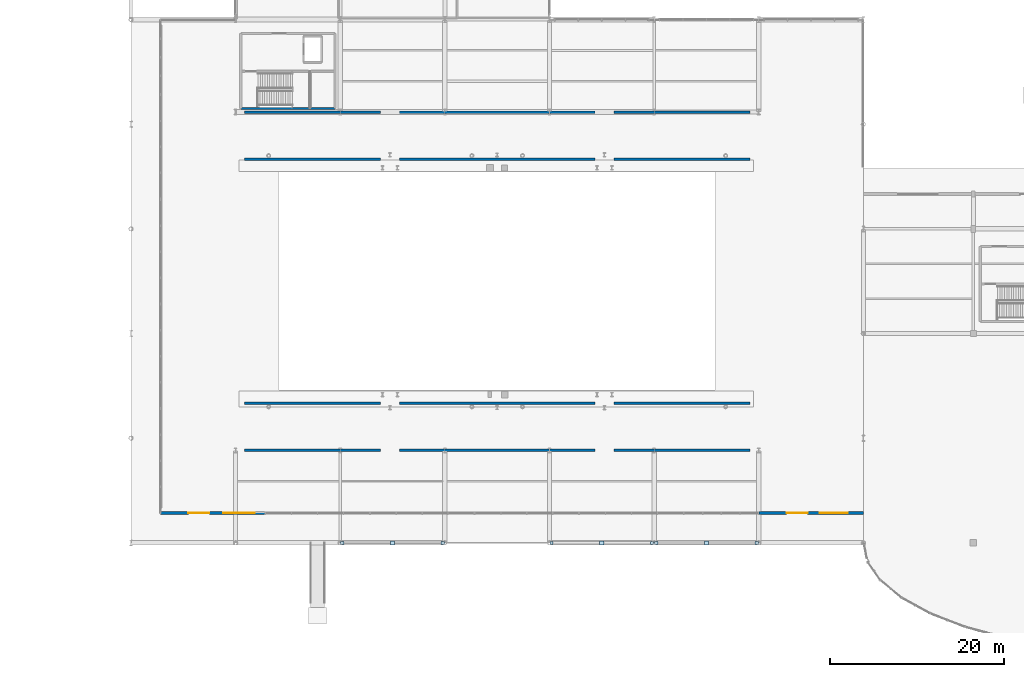
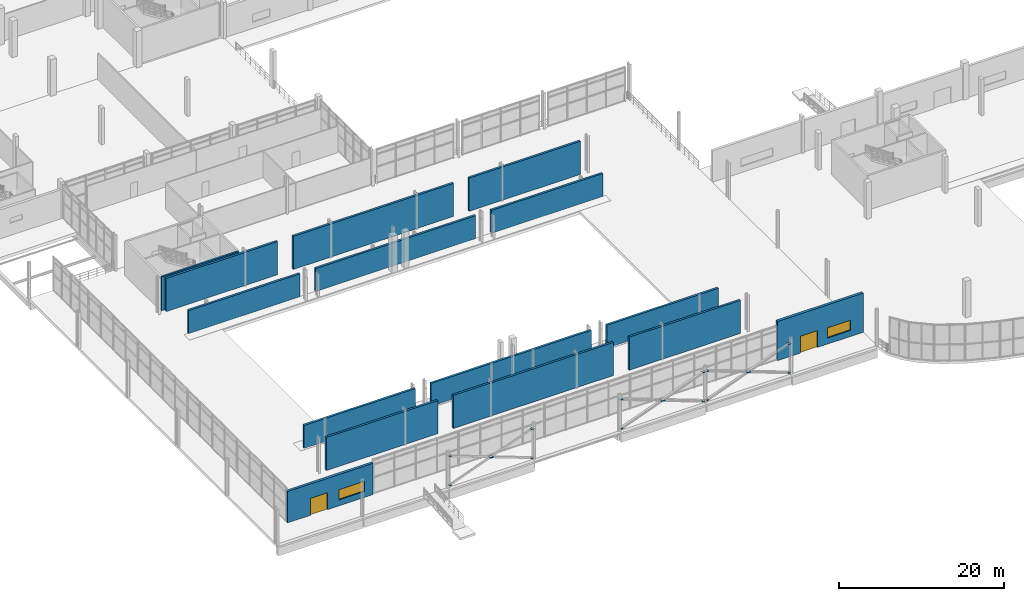
# One storey, part 57 of 85: 15 plates, 15 walls, 2 doors, 2 windows, 4 openings.
"""IFC4 building model written with IfcOpenShell, lengths in metres."""

from ifc_helpers import new_model, si_unit, direction, frame, frame_2d, origin, origin_2d, place, context, subcontext, project, spatial, rectangle, extrude, material, layer, layer_set, type_object, element, fill, save


model = new_model("IFC4")

# Units and contexts
model_context = context("Model", 3, precision=1e-05, world=origin(), true_north=direction((0.0, 1.0)))
body_context = subcontext(model_context, "Body", "Model", "MODEL_VIEW")
ifc_project = project(units=[si_unit("LENGTHUNIT", "METRE"), si_unit("AREAUNIT", "SQUARE_METRE"), si_unit("VOLUMEUNIT", "CUBIC_METRE"), si_unit("PLANEANGLEUNIT", "RADIAN"), si_unit("MASSUNIT", "GRAM", prefix="KILO"), si_unit("THERMODYNAMICTEMPERATUREUNIT", "KELVIN"), si_unit("POWERUNIT", "WATT")], contexts=[model_context])

# Site, building, storey
site_placement = place(None, origin())
site = spatial("IfcSite", under=ifc_project, at=site_placement, CompositionType="ELEMENT")
building_placement = place(site_placement, origin())
building = spatial("IfcBuilding", under=site, at=building_placement, Name="Solmara Park Aquatics Centre", CompositionType="ELEMENT")
storey_placement = place(building_placement, origin())
storey = spatial("IfcBuildingStorey", under=building, at=storey_placement, Name="L00", CompositionType="ELEMENT", Elevation=0.0)

# Plates
ifc_material_1 = material(Name="Structural Steel S355", Category="steel")
ifc_layer_1 = layer(ifc_material_1, 0.02490234375, Name="Structural Steel S355")
ifc_layer_set_1 = layer_set([ifc_layer_1], Name="Structural Steel S355")
plate_type_1 = type_object("IfcPlateType", Name="STR-PLT-CAP360", PredefinedType="SHEET", material=ifc_layer_set_1)
for number, where, z_axis, x_axis, name in (
    (1, (36.840087890625, 12.60009765625, 0.28759765625), (0.0, 0.0, 1.0), (1.0, 0.0, 0.0), "Brace End Connection Cap Plate 022"),
    (2, (48.360107421875, 12.60009765625, 4.587646484375), (0.0, 0.0, 1.0), (1.0, 0.0, 0.0), "Brace End Connection Cap Plate 023"),
    (3, (48.360107421875, 12.60009765625, 0.28759765625), (0.0, 0.0, 1.0), (1.0, 0.0, 0.0), "Brace End Connection Cap Plate 024"),
    (4, (36.840087890625, 12.60009765625, 4.587646484375), (0.0, 0.0, 1.0), (1.0, 0.0, 0.0), "Brace End Connection Cap Plate 025"),
    (5, (60.840087890625, 12.60009765625, 0.28759765625), (0.0, 0.0, 1.0), (1.0, 0.0, 0.0), "Brace End Connection Cap Plate 027"),
    (6, (72.360107421875, 12.60009765625, 4.587646484375), (0.0, 0.0, 1.0), (1.0, 0.0, 0.0), "Brace End Connection Cap Plate 028"),
    (7, (72.360107421875, 12.60009765625, 0.28759765625), (0.0, 0.0, 1.0), (1.0, 0.0, 0.0), "Brace End Connection Cap Plate 029"),
    (8, (60.840087890625, 12.60009765625, 4.587646484375), (0.0, 0.0, 1.0), (1.0, 0.0, 0.0), "Brace End Connection Cap Plate 030"),
    (9, (72.840087890625, 12.60009765625, 0.28759765625), (0.0, 0.0, 1.0), (1.0, 0.0, 0.0), "Brace End Connection Cap Plate 032"),
    (10, (84.360107421875, 12.60009765625, 4.587646484375), (0.0, 0.0, 1.0), (1.0, 0.0, 0.0), "Brace End Connection Cap Plate 033"),
    (11, (84.360107421875, 12.60009765625, 0.28759765625), (0.0, 0.0, 1.0), (1.0, 0.0, 0.0), "Brace End Connection Cap Plate 034"),
    (12, (72.840087890625, 12.60009765625, 4.587646484375), (0.0, 0.0, 1.0), (1.0, 0.0, 0.0), "Brace End Connection Cap Plate 035"),
):
    element("IfcPlate", number, at=place(storey_placement, frame(where, z_axis=z_axis, x_axis=x_axis)), inside=storey, type_object=plate_type_1, Name=name, PredefinedType="SHEET", context=body_context, shape_type="SweptSolid", body=[
        extrude(rectangle(XDim=0.360107421875, YDim=0.360107421875, at=origin_2d()), origin(), (0.0, 0.0, 1.0), 0.02490234375),
    ])
ifc_layer_2 = layer(ifc_material_1, 0.031982421875, Name="Structural Steel S355")
ifc_layer_set_2 = layer_set([ifc_layer_2], Name="Structural Steel S355")
plate_type_2 = type_object("IfcPlateType", Name="STR-PLT-GUS60", PredefinedType="USERDEFINED", material=ifc_layer_set_2)
for number, where, z_axis, x_axis, name in (
    (13, (42.60009765625, 12.60009765625, 2.43408203125), (0.0, 0.0, 1.0), (1.0, 0.0, 0.0), "X-Brace Crossing Gusset Plate 021"),
    (14, (66.60009765625, 12.60009765625, 2.43408203125), (0.0, 0.0, 1.0), (1.0, 0.0, 0.0), "X-Brace Crossing Gusset Plate 026"),
    (15, (78.60009765625, 12.60009765625, 2.43408203125), (0.0, 0.0, 1.0), (1.0, 0.0, 0.0), "X-Brace Crossing Gusset Plate 031"),
):
    element("IfcPlate", number, at=place(storey_placement, frame(where, z_axis=z_axis, x_axis=x_axis)), inside=storey, type_object=plate_type_2, Name=name, ObjectType="GUSSET PLATE", PredefinedType="USERDEFINED", context=body_context, shape_type="SweptSolid", body=[
        extrude(rectangle(XDim=0.47998046875, YDim=0.47998046875, at=origin_2d()), origin(), (0.0, 0.0, 1.0), 0.031982421875),
    ])

# Wall
ifc_material_2 = material(Name="Concrete C40/50", Category="concrete")
ifc_layer_3 = layer(ifc_material_2, 0.25, Name="Concrete C40/50")
ifc_layer_set_3 = layer_set([ifc_layer_3], Name="Concrete C40/50")
wall_type_1 = type_object("IfcWallType", Name="ARC-WL-CORE250", PredefinedType="SHEAR", material=ifc_layer_set_3)
wall_1_placement = place(storey_placement, frame((25.199951171875, 62.39990234375, 0.0), z_axis=(0.0, 0.0, 1.0), x_axis=(1.0, 0.0, 0.0)))
element("IfcWall", 16, at=wall_1_placement, inside=storey, type_object=wall_type_1, Name="CORE-4 Core Wall S L00", PredefinedType="SHEAR", context=body_context, shape_type="SweptSolid", body=[
    extrude(rectangle(XDim=10.800048828125, YDim=0.25, at=frame_2d((5.39990234375, 0.0))), origin(), (0.0, 0.0, 1.0), 5.0),
])

# Wall, openings, door, window
ifc_material_3 = material(Name="Insulated Limestone Render Wall", Category="masonry")
ifc_layer_4 = layer(ifc_material_3, 0.35009765625, Name="Insulated Limestone Render Wall")
ifc_layer_set_4 = layer_set([ifc_layer_4], Name="Insulated Limestone Render Wall")
wall_type_2 = type_object("IfcWallType", Name="ARC-WL-EXT350", PredefinedType="SOLIDWALL", material=ifc_layer_set_4)
wall_2_placement = place(storey_placement, frame((16.0, 16.0, 0.0), z_axis=(0.0, 0.0, 1.0), x_axis=(1.0, 0.0, 0.0)))
wall_2 = element("IfcWall", 17, at=wall_2_placement, inside=storey, type_object=wall_type_2, Name="Exterior Facade Wall EW-L00-001", PredefinedType="SOLIDWALL", context=body_context, shape_type="SweptSolid", body=[
    extrude(rectangle(XDim=12.0, YDim=0.35009765625, at=frame_2d((6.0, 0.0))), origin(), (0.0, 0.0, 1.0), 4.639892578125),
])
opening_1_placement = place(wall_2_placement, frame((3.199951171875, 0.0, 0.0)))
opening_1 = element("IfcOpeningElement", 18, at=opening_1_placement, cuts=wall_2, Name="Opening D-01", PredefinedType="OPENING", context=body_context, shape_type="SweptSolid", body=[
    extrude(rectangle(XDim=2.39990234375, YDim=2.5, at=frame_2d((1.199951171875, 1.25))), frame((0.0, 0.18505859375, 0.0), z_axis=(0.0, -1.0, 0.0), x_axis=(1.0, 0.0, 0.0)), (0.0, 0.0, 1.0), 0.3701171875),
])
opening_2_placement = place(wall_2_placement, frame((7.199951171875, 0.0, 0.89990234375)))
opening_2 = element("IfcOpeningElement", 19, at=opening_2_placement, cuts=wall_2, Name="Opening W-13", PredefinedType="OPENING", context=body_context, shape_type="SweptSolid", body=[
    extrude(rectangle(XDim=3.60009765625, YDim=1.5, at=frame_2d((1.800048828125, 0.75))), frame((0.0, 0.18505859375, 0.0), z_axis=(0.0, -1.0, 0.0), x_axis=(1.0, 0.0, 0.0)), (0.0, 0.0, 1.0), 0.3701171875),
])
ifc_material_4 = material(Name="Thermally Broken Powder-Coated Aluminium and Laminated Glass", Category="aluminium")
door_type = type_object("IfcDoorType", Name="ARC-DR-EXT240x250", OperationType="DOUBLE_DOOR_SINGLE_SWING", PredefinedType="DOOR", material=ifc_material_4)
door_1_placement = place(opening_1_placement, frame((2.39990234375, 0.0, 0.0), z_axis=(0.0, 0.0, 1.0), x_axis=(-1.0, 0.0, 0.0)))
door_1 = element("IfcDoor", 20, at=door_1_placement, inside=storey, type_object=door_type, Name="South Colonnade Exit 1 (EX-01)", OperationType="DOUBLE_DOOR_SINGLE_SWING", OverallHeight=2.5, OverallWidth=2.39990234375, PredefinedType="DOOR", context=body_context, shape_type="SweptSolid", body=[
    extrude(rectangle(XDim=2.39990234375, YDim=2.5, at=frame_2d((1.199951171875, 1.25))), frame((0.0, 0.02490234375, 0.0), z_axis=(0.0, -1.0, 0.0), x_axis=(1.0, 0.0, 0.0)), (0.0, 0.0, 1.0), 0.050048828125),
])
fill(opening_1, door_1)
ifc_material_5 = material(Name="Thermally Broken Aluminium and Low-E Double Glazing", Category="aluminium")
window_type_1 = type_object("IfcWindowType", Name="ARC-WN-360x150", PartitioningType="TRIPLE_PANEL_HORIZONTAL", PredefinedType="WINDOW", material=ifc_material_5)
window_1_placement = place(opening_2_placement, frame((3.60009765625, 0.0, 0.0), z_axis=(0.0, 0.0, 1.0), x_axis=(-1.0, 0.0, 0.0)))
window_1 = element("IfcWindow", 21, at=window_1_placement, inside=storey, type_object=window_type_1, Name="Ribbon Window WN-001", OverallHeight=1.5, OverallWidth=3.60009765625, PartitioningType="TRIPLE_PANEL_HORIZONTAL", PredefinedType="WINDOW", context=body_context, shape_type="SweptSolid", body=[
    extrude(rectangle(XDim=3.60009765625, YDim=1.5, at=frame_2d((1.800048828125, 0.75))), frame((0.0, 0.030029296875, 0.0), z_axis=(0.0, -1.0, 0.0), x_axis=(1.0, 0.0, 0.0)), (0.0, 0.0, 1.0), 0.06005859375),
])
fill(opening_2, window_1)

wall_3_placement = place(storey_placement, frame((84.60009765625, 16.0, 0.0), z_axis=(0.0, 0.0, 1.0), x_axis=(1.0, 0.0, 0.0)))
wall_3 = element("IfcWall", 22, at=wall_3_placement, inside=storey, type_object=wall_type_2, Name="Exterior Facade Wall EW-L00-002", PredefinedType="SOLIDWALL", context=body_context, shape_type="SweptSolid", body=[
    extrude(rectangle(XDim=12.0, YDim=0.35009765625, at=frame_2d((6.0, 0.0))), origin(), (0.0, 0.0, 1.0), 5.800048828125),
])
opening_3_placement = place(wall_3_placement, frame((3.199951171875, 0.0, 0.0)))
opening_3 = element("IfcOpeningElement", 23, at=opening_3_placement, cuts=wall_3, Name="Opening D-01", PredefinedType="OPENING", context=body_context, shape_type="SweptSolid", body=[
    extrude(rectangle(XDim=2.39990234375, YDim=2.5, at=frame_2d((1.199951171875, 1.25))), frame((0.0, 0.18505859375, 0.0), z_axis=(0.0, -1.0, 0.0), x_axis=(1.0, 0.0, 0.0)), (0.0, 0.0, 1.0), 0.3701171875),
])
opening_4_placement = place(wall_3_placement, frame((7.0, 0.0, 0.89990234375)))
opening_4 = element("IfcOpeningElement", 24, at=opening_4_placement, cuts=wall_3, Name="Opening W-14", PredefinedType="OPENING", context=body_context, shape_type="SweptSolid", body=[
    extrude(rectangle(XDim=3.199951171875, YDim=1.5, at=frame_2d((1.60009765625, 0.75))), frame((0.0, 0.18505859375, 0.0), z_axis=(0.0, -1.0, 0.0), x_axis=(1.0, 0.0, 0.0)), (0.0, 0.0, 1.0), 0.3701171875),
])
door_2_placement = place(opening_3_placement, frame((2.39990234375, 0.0, 0.0), z_axis=(0.0, 0.0, 1.0), x_axis=(-1.0, 0.0, 0.0)))
door_2 = element("IfcDoor", 25, at=door_2_placement, inside=storey, type_object=door_type, Name="South Colonnade Exit 2 (EX-02)", OperationType="DOUBLE_DOOR_SINGLE_SWING", OverallHeight=2.5, OverallWidth=2.39990234375, PredefinedType="DOOR", context=body_context, shape_type="SweptSolid", body=[
    extrude(rectangle(XDim=2.39990234375, YDim=2.5, at=frame_2d((1.199951171875, 1.25))), frame((0.0, 0.02490234375, 0.0), z_axis=(0.0, -1.0, 0.0), x_axis=(1.0, 0.0, 0.0)), (0.0, 0.0, 1.0), 0.050048828125),
])
fill(opening_3, door_2)
window_type_2 = type_object("IfcWindowType", Name="ARC-WN-320x150", PartitioningType="DOUBLE_PANEL_HORIZONTAL", PredefinedType="WINDOW", material=ifc_material_5)
window_2_placement = place(opening_4_placement, frame((3.199951171875, 0.0, 0.0), z_axis=(0.0, 0.0, 1.0), x_axis=(-1.0, 0.0, 0.0)))
window_2 = element("IfcWindow", 26, at=window_2_placement, inside=storey, type_object=window_type_2, Name="Ribbon Window WN-002", OverallHeight=1.5, OverallWidth=3.199951171875, PartitioningType="DOUBLE_PANEL_HORIZONTAL", PredefinedType="WINDOW", context=body_context, shape_type="SweptSolid", body=[
    extrude(rectangle(XDim=3.199951171875, YDim=1.5, at=frame_2d((1.60009765625, 0.75))), frame((0.0, 0.030029296875, 0.0), z_axis=(0.0, -1.0, 0.0), x_axis=(1.0, 0.0, 0.0)), (0.0, 0.0, 1.0), 0.06005859375),
])
fill(opening_4, window_2)

# Walls
ifc_layer_5 = layer(ifc_material_2, 0.300048828125, Name="Concrete C40/50")
ifc_layer_set_5 = layer_set([ifc_layer_5], Name="Concrete C40/50")
wall_type_3 = type_object("IfcWallType", Name="STR-WL-SHEAR300", PredefinedType="SHEAR", material=ifc_layer_set_5)
wall_4_placement = place(storey_placement, frame((25.60009765625, 56.60009765625, 0.0), z_axis=(0.0, 0.0, 1.0), x_axis=(1.0, 0.0, 0.0)))
element("IfcWall", 27, at=wall_4_placement, inside=storey, type_object=wall_type_3, Name="Spectator Bowl Front Support Wall N1", PredefinedType="SHEAR", context=body_context, shape_type="SweptSolid", body=[
    extrude(rectangle(XDim=15.599853515625, YDim=0.300048828125, at=frame_2d((7.7998046875, 0.0))), origin(), (0.0, 0.0, 1.0), 3.39990234375),
])
wall_5_placement = place(storey_placement, frame((25.60009765625, 62.0, 0.0), z_axis=(0.0, 0.0, 1.0), x_axis=(1.0, 0.0, 0.0)))
element("IfcWall", 28, at=wall_5_placement, inside=storey, type_object=wall_type_3, Name="Spectator Bowl Rear Support Wall N1", PredefinedType="SHEAR", context=body_context, shape_type="SweptSolid", body=[
    extrude(rectangle(XDim=15.599853515625, YDim=0.300048828125, at=frame_2d((7.7998046875, 0.0))), origin(), (0.0, 0.0, 1.0), 4.89990234375),
])
wall_6_placement = place(storey_placement, frame((43.39990234375, 56.60009765625, 0.0), z_axis=(0.0, 0.0, 1.0), x_axis=(1.0, 0.0, 0.0)))
element("IfcWall", 29, at=wall_6_placement, inside=storey, type_object=wall_type_3, Name="Spectator Bowl Front Support Wall N2", PredefinedType="SHEAR", context=body_context, shape_type="SweptSolid", body=[
    extrude(rectangle(XDim=22.400146484375, YDim=0.300048828125, at=frame_2d((11.2001953125, 0.0))), origin(), (0.0, 0.0, 1.0), 3.39990234375),
])
wall_7_placement = place(storey_placement, frame((43.39990234375, 62.0, 0.0), z_axis=(0.0, 0.0, 1.0), x_axis=(1.0, 0.0, 0.0)))
element("IfcWall", 30, at=wall_7_placement, inside=storey, type_object=wall_type_3, Name="Spectator Bowl Rear Support Wall N2", PredefinedType="SHEAR", context=body_context, shape_type="SweptSolid", body=[
    extrude(rectangle(XDim=22.400146484375, YDim=0.300048828125, at=frame_2d((11.2001953125, 0.0))), origin(), (0.0, 0.0, 1.0), 4.89990234375),
])
wall_8_placement = place(storey_placement, frame((68.0, 56.60009765625, 0.0), z_axis=(0.0, 0.0, 1.0), x_axis=(1.0, 0.0, 0.0)))
element("IfcWall", 31, at=wall_8_placement, inside=storey, type_object=wall_type_3, Name="Spectator Bowl Front Support Wall N3", PredefinedType="SHEAR", context=body_context, shape_type="SweptSolid", body=[
    extrude(rectangle(XDim=15.60009765625, YDim=0.300048828125, at=frame_2d((7.800048828125, 0.0))), origin(), (0.0, 0.0, 1.0), 3.39990234375),
])
wall_9_placement = place(storey_placement, frame((68.0, 62.0, 0.0), z_axis=(0.0, 0.0, 1.0), x_axis=(1.0, 0.0, 0.0)))
element("IfcWall", 32, at=wall_9_placement, inside=storey, type_object=wall_type_3, Name="Spectator Bowl Rear Support Wall N3", PredefinedType="SHEAR", context=body_context, shape_type="SweptSolid", body=[
    extrude(rectangle(XDim=15.60009765625, YDim=0.300048828125, at=frame_2d((7.800048828125, 0.0))), origin(), (0.0, 0.0, 1.0), 4.89990234375),
])
wall_10_placement = place(storey_placement, frame((25.60009765625, 28.60009765625, 0.0), z_axis=(0.0, 0.0, 1.0), x_axis=(1.0, 0.0, 0.0)))
element("IfcWall", 33, at=wall_10_placement, inside=storey, type_object=wall_type_3, Name="Spectator Bowl Front Support Wall S1", PredefinedType="SHEAR", context=body_context, shape_type="SweptSolid", body=[
    extrude(rectangle(XDim=15.599853515625, YDim=0.300048828125, at=frame_2d((7.7998046875, 0.0))), origin(), (0.0, 0.0, 1.0), 3.39990234375),
])
wall_11_placement = place(storey_placement, frame((25.60009765625, 23.199951171875, 0.0), z_axis=(0.0, 0.0, 1.0), x_axis=(1.0, 0.0, 0.0)))
element("IfcWall", 34, at=wall_11_placement, inside=storey, type_object=wall_type_3, Name="Spectator Bowl Rear Support Wall S1", PredefinedType="SHEAR", context=body_context, shape_type="SweptSolid", body=[
    extrude(rectangle(XDim=15.599853515625, YDim=0.300048828125, at=frame_2d((7.7998046875, 0.0))), origin(), (0.0, 0.0, 1.0), 4.89990234375),
])
wall_12_placement = place(storey_placement, frame((43.39990234375, 28.60009765625, 0.0), z_axis=(0.0, 0.0, 1.0), x_axis=(1.0, 0.0, 0.0)))
element("IfcWall", 35, at=wall_12_placement, inside=storey, type_object=wall_type_3, Name="Spectator Bowl Front Support Wall S2", PredefinedType="SHEAR", context=body_context, shape_type="SweptSolid", body=[
    extrude(rectangle(XDim=22.400146484375, YDim=0.300048828125, at=frame_2d((11.2001953125, 0.0))), origin(), (0.0, 0.0, 1.0), 3.39990234375),
])
wall_13_placement = place(storey_placement, frame((43.39990234375, 23.199951171875, 0.0), z_axis=(0.0, 0.0, 1.0), x_axis=(1.0, 0.0, 0.0)))
element("IfcWall", 36, at=wall_13_placement, inside=storey, type_object=wall_type_3, Name="Spectator Bowl Rear Support Wall S2", PredefinedType="SHEAR", context=body_context, shape_type="SweptSolid", body=[
    extrude(rectangle(XDim=22.400146484375, YDim=0.300048828125, at=frame_2d((11.2001953125, 0.0))), origin(), (0.0, 0.0, 1.0), 4.89990234375),
])
wall_14_placement = place(storey_placement, frame((68.0, 28.60009765625, 0.0), z_axis=(0.0, 0.0, 1.0), x_axis=(1.0, 0.0, 0.0)))
element("IfcWall", 37, at=wall_14_placement, inside=storey, type_object=wall_type_3, Name="Spectator Bowl Front Support Wall S3", PredefinedType="SHEAR", context=body_context, shape_type="SweptSolid", body=[
    extrude(rectangle(XDim=15.60009765625, YDim=0.300048828125, at=frame_2d((7.800048828125, 0.0))), origin(), (0.0, 0.0, 1.0), 3.39990234375),
])
wall_15_placement = place(storey_placement, frame((68.0, 23.199951171875, 0.0), z_axis=(0.0, 0.0, 1.0), x_axis=(1.0, 0.0, 0.0)))
element("IfcWall", 38, at=wall_15_placement, inside=storey, type_object=wall_type_3, Name="Spectator Bowl Rear Support Wall S3", PredefinedType="SHEAR", context=body_context, shape_type="SweptSolid", body=[
    extrude(rectangle(XDim=15.60009765625, YDim=0.300048828125, at=frame_2d((7.800048828125, 0.0))), origin(), (0.0, 0.0, 1.0), 4.89990234375),
])

save(model, "model.ifc")
